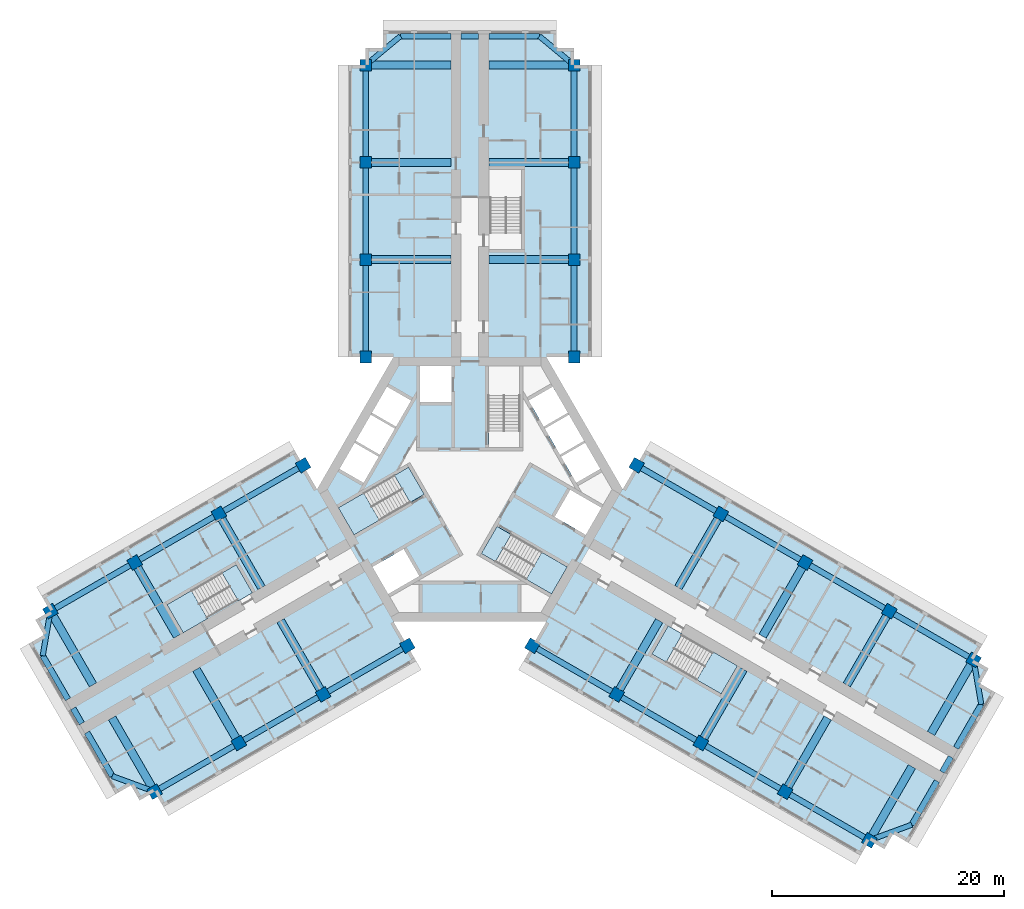
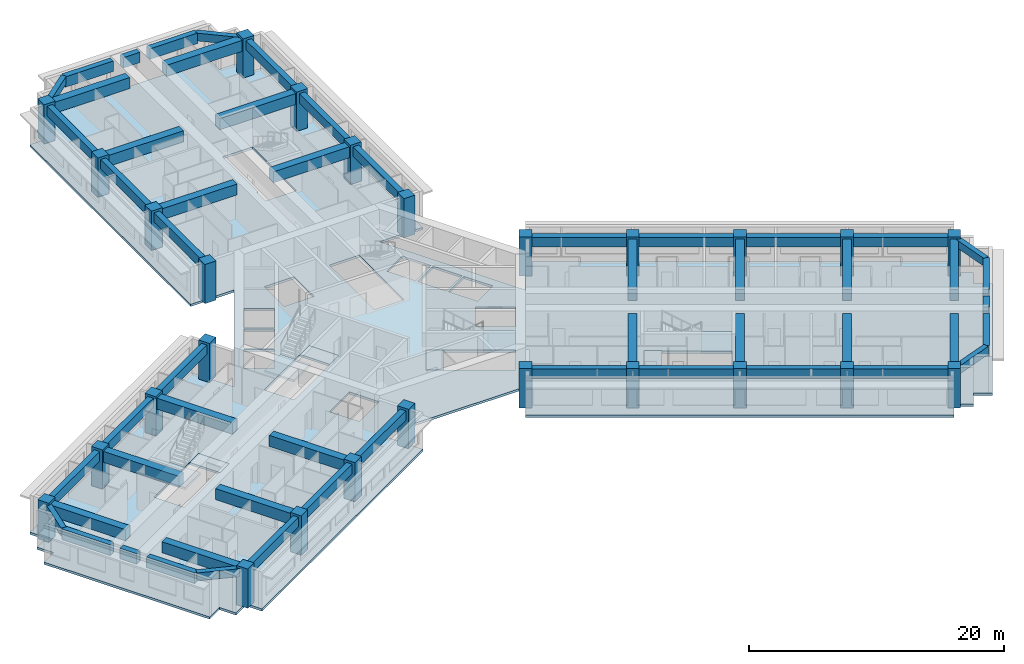
# One storey, part 1 of 14: 55 beams, 26 columns, 9 slabs, 4 elements without a shape of their own.
"""IFC4 building model written with IfcOpenShell, lengths in metres."""

import ifcopenshell
import ifcopenshell.guid

model = None  # the IFC model being written
_history = None  # IfcOwnerHistory: only IFC2X3 demands one
_inside = {}  # id of a spatial element -> (the spatial element, [elements in it])
_under = {}  # id of a project, library or spatial element -> (it, [spatial elements below it])
_declared = {}  # id of a project -> (the project, [libraries it declares])
_typed = {}  # id of a type object -> (the type object, [elements of that type])
_made_of = {}  # id of a material, layer set ... -> (it, [elements and type objects made of it])


def new_model(schema):
    """Start an empty IFC model of exactly this schema.

    Asked for "IFC4X3", IfcOpenShell would pick the latest addendum, in which some entities
    have other attributes; the version numbers below select the first issue.
    IFC2X3 requires an IfcOwnerHistory on every rooted entity: one is made here for all.
    """
    global model, _history
    if schema == "IFC4X3":
        model = ifcopenshell.file(schema_version=(4, 3, 0, 0))
    else:
        model = ifcopenshell.file(schema=schema)
    _inside.clear()
    _under.clear()
    _declared.clear()
    _typed.clear()
    _made_of.clear()
    _history = None
    if model.schema == "IFC2X3":
        org = make("IfcOrganization", Name="unknown")
        user = make(
            "IfcPersonAndOrganization",
            ThePerson=make("IfcPerson", FamilyName="unknown"),
            TheOrganization=org,
        )
        app = make(
            "IfcApplication",
            ApplicationDeveloper=org,
            Version="unknown",
            ApplicationFullName="unknown",
            ApplicationIdentifier="unknown",
        )
        _history = make(
            "IfcOwnerHistory",
            OwningUser=user,
            OwningApplication=app,
            ChangeAction="ADDED",
            CreationDate=0,
        )
    return model


def make(cls, **values):
    """One entity of the class cls with the attributes given. An attribute that is None is left unset."""
    return model.create_entity(
        cls, **{name: value for name, value in values.items() if value is not None}
    )


def rooted(cls, **values):
    """An entity with a GlobalId (a new one), such as an element, a storey or a relation."""
    return make(cls, GlobalId=ifcopenshell.guid.new(), OwnerHistory=_history, **values)


def si_unit(unit_type, name, prefix=None):
    """IfcSIUnit, for example si_unit("LENGTHUNIT", "METRE", prefix="MILLI")."""
    return make("IfcSIUnit", UnitType=unit_type, Prefix=prefix, Name=name)


def assignment(units):
    """IfcUnitAssignment: the units of a project."""
    return None if units is None else make("IfcUnitAssignment", Units=units)


def point(xyz):
    """IfcCartesianPoint."""
    return None if xyz is None else make("IfcCartesianPoint", Coordinates=xyz)


def direction(xyz):
    """IfcDirection."""
    return None if xyz is None else make("IfcDirection", DirectionRatios=xyz)


def frame(location, z_axis=None, x_axis=None):
    """IfcAxis2Placement3D, a coordinate frame: its origin and axes. An axis left out is left unset."""
    return make(
        "IfcAxis2Placement3D",
        Location=point(location),
        Axis=direction(z_axis),
        RefDirection=direction(x_axis),
    )


def frame_2d(location, x_axis=None):
    """IfcAxis2Placement2D, a coordinate frame in the plane: its origin and x axis."""
    return make(
        "IfcAxis2Placement2D", Location=point(location), RefDirection=direction(x_axis)
    )


def origin():
    """The frame at (0, 0, 0) with its axes left unset."""
    return frame((0.0, 0.0, 0.0))


def origin_2d():
    """The frame at (0, 0) in the plane with its x axis left unset."""
    return frame_2d((0.0, 0.0))


def place(relative_to, where):
    """IfcLocalPlacement: puts the frame where relative to a parent placement (None: the world)."""
    return make(
        "IfcLocalPlacement", PlacementRelTo=relative_to, RelativePlacement=where
    )


def context(
    kind, dimensions, precision=None, world=None, true_north=None, identifier=None
):
    """IfcGeometricRepresentationContext, for example the 3D "Model" context."""
    return make(
        "IfcGeometricRepresentationContext",
        ContextIdentifier=identifier,
        ContextType=kind,
        CoordinateSpaceDimension=dimensions,
        Precision=precision,
        WorldCoordinateSystem=world,
        TrueNorth=true_north,
    )


def subcontext(parent, identifier, kind, view, scale=None):
    """IfcGeometricRepresentationSubContext, for example "Body" below "Model"."""
    return make(
        "IfcGeometricRepresentationSubContext",
        ContextIdentifier=identifier,
        ContextType=kind,
        ParentContext=parent,
        TargetScale=scale,
        TargetView=view,
    )


def project(units=None, contexts=None):
    """IfcProject with its units and contexts."""
    return rooted(
        "IfcProject",
        Name="project",
        RepresentationContexts=contexts,
        UnitsInContext=assignment(units),
    )


def spatial(cls, under=None, at=None, **own):
    """A site, building, storey or space (cls), placed at a placement, below another one or the project."""
    s = rooted(cls, ObjectPlacement=at, **own)
    if under is not None:
        _under.setdefault(under.id(), (under, []))[1].append(s)
    return s


def polyline(points):
    """IfcPolyline through the points."""
    return make("IfcPolyline", Points=[point(p) for p in points])


def profile(cls, at=None, kind="AREA", **sizes):
    """A parametric profile (cls). Its sizes go by their IFC names, for example OverallWidth=200.0."""
    return make(cls, ProfileType=kind, Position=at, **sizes)


def rectangle(**sizes):
    """IfcRectangleProfileDef."""
    return profile("IfcRectangleProfileDef", **sizes)


def outline(outer, holes=None, kind="AREA"):
    """IfcArbitraryClosedProfileDef: a profile drawn as a closed curve; with holes, ...WithVoids."""
    if holes is None:
        return make("IfcArbitraryClosedProfileDef", ProfileType=kind, OuterCurve=outer)
    return make(
        "IfcArbitraryProfileDefWithVoids",
        ProfileType=kind,
        OuterCurve=outer,
        InnerCurves=holes,
    )


def extrude(swept, where, along, depth):
    """IfcExtrudedAreaSolid: the profile swept, set in the frame where, extruded along a direction by depth."""
    return make(
        "IfcExtrudedAreaSolid",
        SweptArea=swept,
        Position=where,
        ExtrudedDirection=direction(along),
        Depth=depth,
    )


def shape(context_of_items, identifier, shape_type, items):
    """IfcShapeRepresentation: the items that make up one representation, for example the "Body"."""
    return make(
        "IfcShapeRepresentation",
        ContextOfItems=context_of_items,
        RepresentationIdentifier=identifier,
        RepresentationType=shape_type,
        Items=items,
    )


def material(Name=None, Category=None):
    """IfcMaterial."""
    return make("IfcMaterial", Name=Name, Category=Category)


def layer(
    of_material, thickness, ventilated=None, Name=None, Category=None, Priority=None
):
    """IfcMaterialLayer: one layer of a wall or slab, of a material (None: an air gap)."""
    return make(
        "IfcMaterialLayer",
        Material=of_material,
        LayerThickness=thickness,
        IsVentilated=ventilated,
        Name=Name,
        Category=Category,
        Priority=Priority,
    )


def layer_set(layers, Name=None):
    """IfcMaterialLayerSet."""
    return make("IfcMaterialLayerSet", MaterialLayers=layers, LayerSetName=Name)


def material_profile(
    of_material, cross_section, Name=None, Category=None, Priority=None
):
    """IfcMaterialProfile: a cross section and its material."""
    return make(
        "IfcMaterialProfile",
        Name=Name,
        Material=of_material,
        Profile=cross_section,
        Priority=Priority,
        Category=Category,
    )


def profile_set(profiles, Name=None, composite=None):
    """IfcMaterialProfileSet."""
    return make(
        "IfcMaterialProfileSet",
        Name=Name,
        MaterialProfiles=profiles,
        CompositeProfile=composite,
    )


def made_of(thing, what):
    """Note that an element or type object is made of a material, layer set ...; save() writes the relation."""
    if what is not None:
        _made_of.setdefault(what.id(), (what, []))[1].append(thing)
    return thing


def type_object(cls, material=None, **own):
    """A type object (cls), such as IfcWallType, which elements share."""
    return made_of(rooted(cls, **own), material)


def element(
    cls,
    number,
    at=None,
    inside=None,
    cuts=None,
    type_object=None,
    material=None,
    context=None,
    identifier="Body",
    shape_type=None,
    held_by="IfcProductDefinitionShape",
    body=None,
    shapes=None,
    **own,
):
    """One element of the class cls, such as IfcWall. Its Tag is "e" and its number.

    at: its placement. inside: the storey or other place that contains it. cuts: it is an
    opening in that element (IfcRelVoidsElement). A single representation is given by context,
    identifier, shape_type and body (its items); several are given by shapes. held_by: the class
    of the entity that holds the representations. save() writes the other relations.
    """
    e = rooted(cls, Tag="e%d" % number, ObjectPlacement=at, **own)
    if body is not None:
        shapes = [shape(context, identifier, shape_type, body)]
    if shapes is not None:
        e.Representation = make(held_by, Representations=shapes)
    if inside is not None:
        _inside.setdefault(inside.id(), (inside, []))[1].append(e)
    if cuts is not None:
        rooted(
            "IfcRelVoidsElement", RelatingBuildingElement=cuts, RelatedOpeningElement=e
        )
    if type_object is not None:
        _typed.setdefault(type_object.id(), (type_object, []))[1].append(e)
    return made_of(e, material)


def aggregate(whole, parts):
    """IfcRelAggregates: a whole, such as a stair, and the parts it consists of."""
    return rooted("IfcRelAggregates", RelatingObject=whole, RelatedObjects=parts)


def save(model, path):
    """Write the relations noted so far, then the file.

    IfcRelAggregates (storeys below a building ...), IfcRelContainedInSpatialStructure (elements
    in a storey), IfcRelDefinesByType, IfcRelAssociatesMaterial and IfcRelDeclares: one each for
    every whole, place, type object, material and project.
    """
    for whole, parts in _under.values():
        aggregate(whole, parts)
    for where, things in _inside.values():
        rooted(
            "IfcRelContainedInSpatialStructure",
            RelatedElements=things,
            RelatingStructure=where,
        )
    for kind, things in _typed.values():
        rooted("IfcRelDefinesByType", RelatedObjects=things, RelatingType=kind)
    for what, things in _made_of.values():
        rooted("IfcRelAssociatesMaterial", RelatedObjects=things, RelatingMaterial=what)
    for by, libraries in _declared.values():
        rooted("IfcRelDeclares", RelatingContext=by, RelatedDefinitions=libraries)
    model.write(path)


model = new_model("IFC4")

# Units and contexts
model_context = context("Model", 3, precision=1e-05, world=origin(), true_north=direction((0.0, 1.0)))
body_context = subcontext(model_context, "Body", "Model", "MODEL_VIEW")
ifc_project = project(units=[si_unit("LENGTHUNIT", "METRE"), si_unit("AREAUNIT", "SQUARE_METRE"), si_unit("VOLUMEUNIT", "CUBIC_METRE"), si_unit("PLANEANGLEUNIT", "RADIAN"), si_unit("MASSUNIT", "GRAM", prefix="KILO")], contexts=[model_context])

# Site, building, storey
site_placement = place(None, origin())
site = spatial("IfcSite", under=ifc_project, at=site_placement, CompositionType="ELEMENT")
building_placement = place(site_placement, origin())
building = spatial("IfcBuilding", under=site, at=building_placement, Name="Impinga Residences", CompositionType="ELEMENT")
storey_placement = place(building_placement, frame((0.0, 0.0, 143.5)))
storey = spatial("IfcBuildingStorey", under=building, at=storey_placement, Name="L35", CompositionType="ELEMENT", Elevation=143.5)

# Columns
ifc_material_1 = material(Name="Concrete C60/75", Category="concrete")
ifc_material_profile_1 = material_profile(ifc_material_1, rectangle(XDim=1.0, YDim=1.0, at=origin_2d()), Name="RC 1000x1000")
ifc_profile_set_1 = profile_set([ifc_material_profile_1], Name="Concrete C60/75")
column_type = type_object("IfcColumnType", Name="C3 1000x1000 column", PredefinedType="COLUMN", material=ifc_profile_set_1)
for number, where, z_axis, x_axis, name in (
    (1, (-9.0, 11.431640625, 0.0), (0.0, 0.0, 1.0), (1.0, 0.0, 0.0), "Column C3 N1/NA L35"),
    (2, (9.0, 11.431640625, 0.0), (0.0, 0.0, 1.0), (1.0, 0.0, 0.0), "Column C3 N1/NF L35"),
    (3, (-9.0, 19.83154296875, 0.0), (0.0, 0.0, 1.0), (1.0, 0.0, 0.0), "Column C3 N2/NA L35"),
    (4, (9.0, 19.83154296875, 0.0), (0.0, 0.0, 1.0), (1.0, 0.0, 0.0), "Column C3 N2/NF L35"),
    (5, (-9.0, 28.2314453125, 0.0), (0.0, 0.0, 1.0), (1.0, 0.0, 0.0), "Column C3 N3/NA L35"),
    (6, (9.0, 28.2314453125, 0.0), (0.0, 0.0, 1.0), (1.0, 0.0, 0.0), "Column C3 N3/NF L35"),
    (7, (-9.0, 36.631591796875, 0.0), (0.0, 0.0, 1.0), (1.0, 0.0, 0.0), "Column C3 N4/NA L35"),
    (8, (9.0, 36.631591796875, 0.0), (0.0, 0.0, 1.0), (1.0, 0.0, 0.0), "Column C3 N4/NF L35"),
    (9, (-5.39990234375, -13.510009765625, 0.0), (0.0, 0.0, 1.0), (-0.5, 0.866025403784, 0.0), "Column C3 W1/WA L35"),
    (10, (-14.39990234375, 2.078369140625, 0.0), (0.0, 0.0, 1.0), (-0.5, 0.866025403784, 0.0), "Column C3 W1/WF L35"),
    (11, (-12.674560546875, -17.7099609375, 0.0), (0.0, 0.0, 1.0), (-0.5, 0.866025403784, 0.0), "Column C3 W2/WA L35"),
    (12, (-21.674560546875, -2.12158203125, 0.0), (0.0, 0.0, 1.0), (-0.5, 0.866025403784, 0.0), "Column C3 W2/WF L35"),
    (13, (-19.94921875, -21.909912109375, 0.0), (0.0, 0.0, 1.0), (-0.5, 0.866025403784, 0.0), "Column C3 W3/WA L35"),
    (14, (-28.94921875, -6.321533203125, 0.0), (0.0, 0.0, 1.0), (-0.5, 0.866025403784, 0.0), "Column C3 W3/WF L35"),
    (15, (-27.223876953125, -26.110107421875, 0.0), (0.0, 0.0, 1.0), (-0.5, 0.866025403784, 0.0), "Column C3 W4/WA L35"),
    (16, (-36.223876953125, -10.521484375, 0.0), (0.0, 0.0, 1.0), (-0.5, 0.866025403784, 0.0), "Column C3 W4/WF L35"),
    (17, (14.39990234375, 2.078369140625, 0.0), (0.0, 0.0, 1.0), (-0.5, -0.866025403784, 0.0), "Column C3 E1/EA L35"),
    (18, (5.39990234375, -13.510009765625, 0.0), (0.0, 0.0, 1.0), (-0.5, -0.866025403784, 0.0), "Column C3 E1/EF L35"),
    (19, (21.674560546875, -2.12158203125, 0.0), (0.0, 0.0, 1.0), (-0.5, -0.866025403784, 0.0), "Column C3 E2/EA L35"),
    (20, (12.674560546875, -17.7099609375, 0.0), (0.0, 0.0, 1.0), (-0.5, -0.866025403784, 0.0), "Column C3 E2/EF L35"),
    (21, (28.94921875, -6.321533203125, 0.0), (0.0, 0.0, 1.0), (-0.5, -0.866025403784, 0.0), "Column C3 E3/EA L35"),
    (22, (19.94921875, -21.909912109375, 0.0), (0.0, 0.0, 1.0), (-0.5, -0.866025403784, 0.0), "Column C3 E3/EF L35"),
    (23, (36.223876953125, -10.521484375, 0.0), (0.0, 0.0, 1.0), (-0.5, -0.866025403784, 0.0), "Column C3 E4/EA L35"),
    (24, (27.223876953125, -26.110107421875, 0.0), (0.0, 0.0, 1.0), (-0.5, -0.866025403784, 0.0), "Column C3 E4/EF L35"),
    (25, (43.49853515625, -14.721435546875, 0.0), (0.0, 0.0, 1.0), (-0.5, -0.866025403784, 0.0), "Column C3 E5/EA L35"),
    (26, (34.49853515625, -30.31005859375, 0.0), (0.0, 0.0, 1.0), (-0.5, -0.866025403784, 0.0), "Column C3 E5/EF L35"),
):
    element("IfcColumn", number, at=place(storey_placement, frame(where, z_axis=z_axis, x_axis=x_axis)), inside=storey, type_object=column_type, Name=name, PredefinedType="COLUMN", context=body_context, shape_type="SweptSolid", body=[
        extrude(rectangle(XDim=1.0, YDim=1.0, at=origin_2d()), origin(), (0.0, 0.0, 1.0), 3.75),
    ])

# Beams
ifc_material_profile_2 = material_profile(ifc_material_1, rectangle(XDim=0.449951171875, YDim=0.75, at=origin_2d()), Name="RC 450x750")
ifc_profile_set_2 = profile_set([ifc_material_profile_2], Name="Concrete C60/75")
beam_type_1 = type_object("IfcBeamType", Name="CB1 450x750 wing end cantilever beam", PredefinedType="BEAM", material=ifc_profile_set_2)
for number, where, z_axis, x_axis, name in (
    (27, (-9.0, 36.631591796875, 3.155029296875), (0.768221279597, 0.640184399664, 0.0), (-0.640184399664, 0.768221279597, 0.0), "Beam CB1 NB N4-NX level L36"),
    (28, (9.0, 36.631591796875, 3.155029296875), (-0.768221279597, 0.640184399664, 0.0), (-0.640184399664, -0.768221279597, 0.0), "Beam CB1 NE N4-NX level L36"),
    (29, (-27.223876953125, -26.110107421875, 3.155029296875), (-0.938520178725, 0.345224382289, 0.0), (-0.345224382289, -0.938520178725, 0.0), "Beam CB1 WB W4-WX level L36"),
):
    element("IfcBeam", number, at=place(storey_placement, frame(where, z_axis=z_axis, x_axis=x_axis)), inside=storey, type_object=beam_type_1, Name=name, PredefinedType="BEAM", context=body_context, shape_type="SweptSolid", body=[
        extrude(rectangle(XDim=0.449951171875, YDim=0.75, at=origin_2d()), origin(), (0.0, 0.0, 1.0), 3.905029296875),
    ])
for number, where, z_axis, x_axis, name in (
    (30, (-36.223876953125, -10.521484375, 3.155029296875), (-0.170296298948, -0.985392901621, 0.0), (0.985392901621, -0.170296298948, 0.0), "Beam CB1 WE W4-WX level L36"),
    (31, (43.49853515625, -14.721435546875, 3.155029296875), (0.170296298948, -0.985392901621, 0.0), (0.985392901621, 0.170296298948, 0.0), "Beam CB1 EB E5-EX level L36"),
):
    element("IfcBeam", number, at=place(storey_placement, frame(where, z_axis=z_axis, x_axis=x_axis)), inside=storey, type_object=beam_type_1, Name=name, PredefinedType="BEAM", context=body_context, shape_type="SweptSolid", body=[
        extrude(rectangle(XDim=0.449951171875, YDim=0.75, at=origin_2d()), origin(), (0.0, 0.0, 1.0), 3.9052734375),
    ])
beam_1_placement = place(storey_placement, frame((34.49853515625, -30.31005859375, 3.155029296875), z_axis=(0.938520178725, 0.345224382289, 0.0), x_axis=(-0.345224382289, 0.938520178725, 0.0)))
element("IfcBeam", 32, at=beam_1_placement, inside=storey, type_object=beam_type_1, Name="Beam CB1 EE E5-EX level L36", PredefinedType="BEAM", context=body_context, shape_type="SweptSolid", body=[
    extrude(rectangle(XDim=0.449951171875, YDim=0.75, at=origin_2d()), origin(), (0.0, 0.0, 1.0), 3.905029296875),
])
ifc_material_profile_3 = material_profile(ifc_material_1, rectangle(XDim=0.699951171875, YDim=1.050048828125, at=origin_2d()), Name="RC 700x1050")
ifc_profile_set_3 = profile_set([ifc_material_profile_3], Name="Concrete C60/75")
beam_type_2 = type_object("IfcBeamType", Name="CG1 700x1050 cross girder on a wing bay line", PredefinedType="BEAM", material=ifc_profile_set_3)
for number, where, z_axis, x_axis, name in (
    (33, (-1.64990234375, 19.83154296875, 3.0048828125), (-1.0, 0.0, 0.0), (0.0, -1.0, 0.0), "Beam CG1 N2 NC/NA level L36"),
    (34, (-1.64990234375, 28.2314453125, 3.0048828125), (-1.0, 0.0, 0.0), (0.0, -1.0, 0.0), "Beam CG1 N3 NC/NA level L36"),
    (35, (-1.64990234375, 36.631591796875, 3.0048828125), (-1.0, 0.0, 0.0), (0.0, -1.0, 0.0), "Beam CG1 N4 NC/NA level L36"),
    (36, (1.64990234375, 19.83154296875, 3.0048828125), (1.0, 0.0, 0.0), (0.0, 1.0, 0.0), "Beam CG1 N2 NC/NF level L36"),
    (37, (1.64990234375, 28.2314453125, 3.0048828125), (1.0, 0.0, 0.0), (0.0, 1.0, 0.0), "Beam CG1 N3 NC/NF level L36"),
    (38, (1.64990234375, 36.631591796875, 3.0048828125), (1.0, 0.0, 0.0), (0.0, 1.0, 0.0), "Beam CG1 N4 NC/NF level L36"),
    (39, (-16.349609375, -11.3447265625, 3.0048828125), (0.500008066151, -0.86602074674, 0.0), (0.86602074674, 0.500008066151, 0.0), "Beam CG1 W2 WC/WA level L36"),
    (40, (-23.624267578125, -15.544677734375, 3.0048828125), (0.500008066151, -0.86602074674, 0.0), (0.86602074674, 0.500008066151, 0.0), "Beam CG1 W3 WC/WA level L36"),
    (41, (-30.89892578125, -19.74462890625, 3.0048828125), (0.499993683172, -0.866029050776, 0.0), (0.866029050776, 0.499993683172, 0.0), "Beam CG1 W4 WC/WA level L36"),
    (42, (-17.99951171875, -8.48681640625, 3.0048828125), (-0.500008066151, 0.86602074674, 0.0), (-0.86602074674, -0.500008066151, 0.0), "Beam CG1 W2 WC/WF level L36"),
    (43, (-25.274169921875, -12.686767578125, 3.0048828125), (-0.500008066151, 0.86602074674, 0.0), (-0.86602074674, -0.500008066151, 0.0), "Beam CG1 W3 WC/WF level L36"),
    (44, (-32.548828125, -16.88671875, 3.0048828125), (-0.500008066151, 0.86602074674, 0.0), (-0.86602074674, -0.500008066151, 0.0), "Beam CG1 W4 WC/WF level L36"),
    (45, (17.99951171875, -8.48681640625, 3.0048828125), (0.500008066151, 0.86602074674, 0.0), (-0.86602074674, 0.500008066151, 0.0), "Beam CG1 E2 EC/EA level L36"),
    (46, (25.274169921875, -12.686767578125, 3.0048828125), (0.500008066151, 0.86602074674, 0.0), (-0.86602074674, 0.500008066151, 0.0), "Beam CG1 E3 EC/EA level L36"),
    (47, (32.548828125, -16.88671875, 3.0048828125), (0.500008066151, 0.86602074674, 0.0), (-0.86602074674, 0.500008066151, 0.0), "Beam CG1 E4 EC/EA level L36"),
    (48, (39.823486328125, -21.0869140625, 3.0048828125), (0.499993683172, 0.866029050776, 0.0), (-0.866029050776, 0.499993683172, 0.0), "Beam CG1 E5 EC/EA level L36"),
    (49, (16.349609375, -11.3447265625, 3.0048828125), (-0.500008066151, -0.86602074674, 0.0), (0.86602074674, -0.500008066151, 0.0), "Beam CG1 E2 EC/EF level L36"),
    (50, (23.624267578125, -15.544677734375, 3.0048828125), (-0.500008066151, -0.86602074674, 0.0), (0.86602074674, -0.500008066151, 0.0), "Beam CG1 E3 EC/EF level L36"),
    (51, (30.89892578125, -19.74462890625, 3.0048828125), (-0.499993683172, -0.866029050776, 0.0), (0.866029050776, -0.499993683172, 0.0), "Beam CG1 E4 EC/EF level L36"),
):
    element("IfcBeam", number, at=place(storey_placement, frame(where, z_axis=z_axis, x_axis=x_axis)), inside=storey, type_object=beam_type_2, Name=name, PredefinedType="BEAM", context=body_context, shape_type="SweptSolid", body=[
        extrude(rectangle(XDim=0.699951171875, YDim=1.050048828125, at=origin_2d()), origin(), (0.0, 0.0, 1.0), 7.35009765625),
    ])
beam_2_placement = place(storey_placement, frame((38.17333984375, -23.94482421875, 3.0048828125), z_axis=(-0.499983153418, -0.866035129944, 0.0), x_axis=(0.866035129944, -0.499983153418, 0.0)))
element("IfcBeam", 52, at=beam_2_placement, inside=storey, type_object=beam_type_2, Name="Beam CG1 E5 EC/EF level L36", PredefinedType="BEAM", context=body_context, shape_type="SweptSolid", body=[
    extrude(rectangle(XDim=0.699951171875, YDim=1.050048828125, at=origin_2d()), origin(), (0.0, 0.0, 1.0), 7.349853515625),
])
ifc_material_profile_4 = material_profile(ifc_material_1, rectangle(XDim=0.5, YDim=1.0, at=origin_2d()), Name="RC 500x1000")
ifc_profile_set_4 = profile_set([ifc_material_profile_4], Name="Concrete C60/75")
beam_type_3 = type_object("IfcBeamType", Name="EB1 500x1000 wing end beam", PredefinedType="BEAM", material=ifc_profile_set_4)
beam_3_placement = place(storey_placement, frame((-6.0, 39.131591796875, 3.030029296875), z_axis=(1.0, 0.0, 0.0), x_axis=(0.0, 1.0, 0.0)))
element("IfcBeam", 53, at=beam_3_placement, inside=storey, type_object=beam_type_3, Name="Beam EB1 NX3 level L36", PredefinedType="BEAM", context=body_context, shape_type="SweptSolid", body=[
    extrude(rectangle(XDim=0.5, YDim=1.0, at=origin_2d()), origin(), (0.0, 0.0, 1.0), 4.35009765625),
])
beam_4_placement = place(storey_placement, frame((-0.75, 39.131591796875, 3.030029296875), z_axis=(1.0, 0.0, 0.0), x_axis=(0.0, 1.0, 0.0)))
element("IfcBeam", 54, at=beam_4_placement, inside=storey, type_object=beam_type_3, Name="Beam EB1 NX3 level L36", PredefinedType="BEAM", context=body_context, shape_type="SweptSolid", body=[
    extrude(rectangle(XDim=0.5, YDim=1.0, at=origin_2d()), origin(), (0.0, 0.0, 1.0), 1.5),
])
for number, where, z_axis, x_axis, name in (
    (55, (1.64990234375, 39.131591796875, 3.030029296875), (1.0, 0.0, 0.0), (0.0, 1.0, 0.0), "Beam EB1 NX3 level L36"),
    (56, (-30.888916015625, -24.761962890625, 3.030029296875), (-0.499996127374, 0.866027639635, 0.0), (-0.866027639635, -0.499996127374, 0.0), "Beam EB1 WX3 level L36"),
):
    element("IfcBeam", number, at=place(storey_placement, frame(where, z_axis=z_axis, x_axis=x_axis)), inside=storey, type_object=beam_type_3, Name=name, PredefinedType="BEAM", context=body_context, shape_type="SweptSolid", body=[
        extrude(rectangle(XDim=0.5, YDim=1.0, at=origin_2d()), origin(), (0.0, 0.0, 1.0), 4.35009765625),
    ])
beam_5_placement = place(storey_placement, frame((-33.513916015625, -20.21533203125, 3.030029296875), z_axis=(-0.499990139034, 0.866031096941, 0.0), x_axis=(-0.866031096941, -0.499990139034, 0.0)))
element("IfcBeam", 57, at=beam_5_placement, inside=storey, type_object=beam_type_3, Name="Beam EB1 WX3 level L36", PredefinedType="BEAM", context=body_context, shape_type="SweptSolid", body=[
    extrude(rectangle(XDim=0.5, YDim=1.0, at=origin_2d()), origin(), (0.0, 0.0, 1.0), 1.5),
])
beam_6_placement = place(storey_placement, frame((-34.7138671875, -18.13671875, 3.030029296875), z_axis=(-0.500020430026, 0.866013608182, 0.0), x_axis=(-0.866013608182, -0.500020430026, 0.0)))
element("IfcBeam", 58, at=beam_6_placement, inside=storey, type_object=beam_type_3, Name="Beam EB1 WX3 level L36", PredefinedType="BEAM", context=body_context, shape_type="SweptSolid", body=[
    extrude(rectangle(XDim=0.5, YDim=1.0, at=origin_2d()), origin(), (0.0, 0.0, 1.0), 4.349853515625),
])
beam_7_placement = place(storey_placement, frame((44.16357421875, -18.569580078125, 3.030029296875), z_axis=(-0.499996127374, -0.866027639635, 0.0), x_axis=(0.866027639635, -0.499996127374, 0.0)))
element("IfcBeam", 59, at=beam_7_placement, inside=storey, type_object=beam_type_3, Name="Beam EB1 EX4 level L36", PredefinedType="BEAM", context=body_context, shape_type="SweptSolid", body=[
    extrude(rectangle(XDim=0.5, YDim=1.0, at=origin_2d()), origin(), (0.0, 0.0, 1.0), 4.35009765625),
])
beam_8_placement = place(storey_placement, frame((41.53857421875, -23.1162109375, 3.030029296875), z_axis=(-0.499990139034, -0.866031096941, 0.0), x_axis=(0.866031096941, -0.499990139034, 0.0)))
element("IfcBeam", 60, at=beam_8_placement, inside=storey, type_object=beam_type_3, Name="Beam EB1 EX4 level L36", PredefinedType="BEAM", context=body_context, shape_type="SweptSolid", body=[
    extrude(rectangle(XDim=0.5, YDim=1.0, at=origin_2d()), origin(), (0.0, 0.0, 1.0), 1.5),
])
beam_9_placement = place(storey_placement, frame((40.338623046875, -25.19482421875, 3.030029296875), z_axis=(-0.500020430026, -0.866013608182, 0.0), x_axis=(0.866013608182, -0.500020430026, 0.0)))
element("IfcBeam", 61, at=beam_9_placement, inside=storey, type_object=beam_type_3, Name="Beam EB1 EX4 level L36", PredefinedType="BEAM", context=body_context, shape_type="SweptSolid", body=[
    extrude(rectangle(XDim=0.5, YDim=1.0, at=origin_2d()), origin(), (0.0, 0.0, 1.0), 4.349853515625),
])
ifc_material_profile_5 = material_profile(ifc_material_1, rectangle(XDim=0.5, YDim=0.89990234375, at=origin_2d()), Name="RC 500x900")
ifc_profile_set_5 = profile_set([ifc_material_profile_5], Name="Concrete C60/75")
beam_type_4 = type_object("IfcBeamType", Name="SB1 500x900 perimeter spandrel beam", PredefinedType="SPANDREL", material=ifc_profile_set_5)
for number, where, z_axis, x_axis, name in (
    (62, (-9.0, 11.431640625, 3.080078125), (0.0, 1.0, 0.0), (-1.0, 0.0, 0.0), "Beam SB1 NA N1-N2 level L36"),
    (63, (-9.0, 19.83154296875, 3.080078125), (0.0, 1.0, 0.0), (-1.0, 0.0, 0.0), "Beam SB1 NA N2-N3 level L36"),
):
    element("IfcBeam", number, at=place(storey_placement, frame(where, z_axis=z_axis, x_axis=x_axis)), inside=storey, type_object=beam_type_4, Name=name, PredefinedType="SPANDREL", context=body_context, shape_type="SweptSolid", body=[
        extrude(rectangle(XDim=0.5, YDim=0.89990234375, at=origin_2d()), origin(), (0.0, 0.0, 1.0), 8.39990234375),
    ])
beam_10_placement = place(storey_placement, frame((-9.0, 28.2314453125, 3.080078125), z_axis=(0.0, 1.0, 0.0), x_axis=(-1.0, 0.0, 0.0)))
element("IfcBeam", 64, at=beam_10_placement, inside=storey, type_object=beam_type_4, Name="Beam SB1 NA N3-N4 level L36", PredefinedType="SPANDREL", context=body_context, shape_type="SweptSolid", body=[
    extrude(rectangle(XDim=0.5, YDim=0.89990234375, at=origin_2d()), origin(), (0.0, 0.0, 1.0), 8.400146484375),
])
for number, where, z_axis, x_axis, name in (
    (65, (9.0, 11.431640625, 3.080078125), (0.0, 1.0, 0.0), (-1.0, 0.0, 0.0), "Beam SB1 NF N1-N2 level L36"),
    (66, (9.0, 19.83154296875, 3.080078125), (0.0, 1.0, 0.0), (-1.0, 0.0, 0.0), "Beam SB1 NF N2-N3 level L36"),
):
    element("IfcBeam", number, at=place(storey_placement, frame(where, z_axis=z_axis, x_axis=x_axis)), inside=storey, type_object=beam_type_4, Name=name, PredefinedType="SPANDREL", context=body_context, shape_type="SweptSolid", body=[
        extrude(rectangle(XDim=0.5, YDim=0.89990234375, at=origin_2d()), origin(), (0.0, 0.0, 1.0), 8.39990234375),
    ])
beam_11_placement = place(storey_placement, frame((9.0, 28.2314453125, 3.080078125), z_axis=(0.0, 1.0, 0.0), x_axis=(-1.0, 0.0, 0.0)))
element("IfcBeam", 67, at=beam_11_placement, inside=storey, type_object=beam_type_4, Name="Beam SB1 NF N3-N4 level L36", PredefinedType="SPANDREL", context=body_context, shape_type="SweptSolid", body=[
    extrude(rectangle(XDim=0.5, YDim=0.89990234375, at=origin_2d()), origin(), (0.0, 0.0, 1.0), 8.400146484375),
])
for number, where, z_axis, x_axis, name in (
    (68, (-5.39990234375, -13.510009765625, 3.080078125), (-0.86602925447, -0.499993330357, 0.0), (0.499993330357, -0.86602925447, 0.0), "Beam SB1 WA W1-W2 level L36"),
    (69, (-12.674560546875, -17.7099609375, 3.080078125), (-0.86602925447, -0.499993330357, 0.0), (0.499993330357, -0.86602925447, 0.0), "Beam SB1 WA W2-W3 level L36"),
):
    element("IfcBeam", number, at=place(storey_placement, frame(where, z_axis=z_axis, x_axis=x_axis)), inside=storey, type_object=beam_type_4, Name=name, PredefinedType="SPANDREL", context=body_context, shape_type="SweptSolid", body=[
        extrude(rectangle(XDim=0.5, YDim=0.89990234375, at=origin_2d()), origin(), (0.0, 0.0, 1.0), 8.39990234375),
    ])
beam_12_placement = place(storey_placement, frame((-19.94921875, -21.909912109375, 3.080078125), z_axis=(-0.866016669275, -0.500015128309, 0.0), x_axis=(0.500015128309, -0.866016669275, 0.0)))
element("IfcBeam", 70, at=beam_12_placement, inside=storey, type_object=beam_type_4, Name="Beam SB1 WA W3-W4 level L36", PredefinedType="SPANDREL", context=body_context, shape_type="SweptSolid", body=[
    extrude(rectangle(XDim=0.5, YDim=0.89990234375, at=origin_2d()), origin(), (0.0, 0.0, 1.0), 8.400146484375),
])
for number, where, z_axis, x_axis, name in (
    (71, (-14.39990234375, 2.078369140625, 3.080078125), (-0.86602925447, -0.499993330357, 0.0), (0.499993330357, -0.86602925447, 0.0), "Beam SB1 WF W1-W2 level L36"),
    (72, (-21.674560546875, -2.12158203125, 3.080078125), (-0.86602925447, -0.499993330357, 0.0), (0.499993330357, -0.86602925447, 0.0), "Beam SB1 WF W2-W3 level L36"),
    (73, (-28.94921875, -6.321533203125, 3.080078125), (-0.86602925447, -0.499993330357, 0.0), (0.499993330357, -0.86602925447, 0.0), "Beam SB1 WF W3-W4 level L36"),
    (74, (14.39990234375, 2.078369140625, 3.080078125), (0.86602925447, -0.499993330357, 0.0), (0.499993330357, 0.86602925447, 0.0), "Beam SB1 EA E1-E2 level L36"),
    (75, (21.674560546875, -2.12158203125, 3.080078125), (0.86602925447, -0.499993330357, 0.0), (0.499993330357, 0.86602925447, 0.0), "Beam SB1 EA E2-E3 level L36"),
    (76, (28.94921875, -6.321533203125, 3.080078125), (0.86602925447, -0.499993330357, 0.0), (0.499993330357, 0.86602925447, 0.0), "Beam SB1 EA E3-E4 level L36"),
    (77, (36.223876953125, -10.521484375, 3.080078125), (0.86602925447, -0.499993330357, 0.0), (0.499993330357, 0.86602925447, 0.0), "Beam SB1 EA E4-E5 level L36"),
    (78, (5.39990234375, -13.510009765625, 3.080078125), (0.86602925447, -0.499993330357, 0.0), (0.499993330357, 0.86602925447, 0.0), "Beam SB1 EF E1-E2 level L36"),
    (79, (12.674560546875, -17.7099609375, 3.080078125), (0.86602925447, -0.499993330357, 0.0), (0.499993330357, 0.86602925447, 0.0), "Beam SB1 EF E2-E3 level L36"),
):
    element("IfcBeam", number, at=place(storey_placement, frame(where, z_axis=z_axis, x_axis=x_axis)), inside=storey, type_object=beam_type_4, Name=name, PredefinedType="SPANDREL", context=body_context, shape_type="SweptSolid", body=[
        extrude(rectangle(XDim=0.5, YDim=0.89990234375, at=origin_2d()), origin(), (0.0, 0.0, 1.0), 8.39990234375),
    ])
beam_13_placement = place(storey_placement, frame((19.94921875, -21.909912109375, 3.080078125), z_axis=(0.866016669275, -0.500015128309, 0.0), x_axis=(0.500015128309, 0.866016669275, 0.0)))
element("IfcBeam", 80, at=beam_13_placement, inside=storey, type_object=beam_type_4, Name="Beam SB1 EF E3-E4 level L36", PredefinedType="SPANDREL", context=body_context, shape_type="SweptSolid", body=[
    extrude(rectangle(XDim=0.5, YDim=0.89990234375, at=origin_2d()), origin(), (0.0, 0.0, 1.0), 8.400146484375),
])
beam_14_placement = place(storey_placement, frame((27.223876953125, -26.110107421875, 3.080078125), z_axis=(0.86602925447, -0.499993330357, 0.0), x_axis=(0.499993330357, 0.86602925447, 0.0)))
element("IfcBeam", 81, at=beam_14_placement, inside=storey, type_object=beam_type_4, Name="Beam SB1 EF E4-E5 level L36", PredefinedType="SPANDREL", context=body_context, shape_type="SweptSolid", body=[
    extrude(rectangle(XDim=0.5, YDim=0.89990234375, at=origin_2d()), origin(), (0.0, 0.0, 1.0), 8.39990234375),
])

# Slab
ifc_layer_1 = layer(ifc_material_1, 0.219970703125)
ifc_layer_set_1 = layer_set([ifc_layer_1], Name="Concrete C60/75")
slab_type_1 = type_object("IfcSlabType", Name="FS1 tower floor slab 220", PredefinedType="FLOOR", material=ifc_layer_set_1)
slab_1_placement = place(storey_placement, frame((0.0, 0.0, -0.219970703125)))
element("IfcSlab", 82, at=slab_1_placement, inside=storey, type_object=slab_type_1, Name="Floor slab FS1 L35", PredefinedType="FLOOR", context=body_context, shape_type="SweptSolid", body=[
    extrude(outline(polyline([(43.49853515625, -14.721435546875), (44.797607421875, -15.471435546875), (44.047607421875, -16.7705078125), (45.346435546875, -17.5205078125), (37.846435546875, -30.510986328125), (36.547607421875, -29.760986328125), (35.797607421875, -31.06005859375), (34.49853515625, -30.31005859375), (33.74853515625, -31.609130859375), (4.64990234375, -14.80908203125), (9.900146484375, -5.7158203125), (6.60009765625, -11.431640625), (-6.60009765625, -11.431640625), (-9.900146484375, -5.7158203125), (-4.64990234375, -14.80908203125), (-26.473876953125, -27.408935546875), (-27.223876953125, -26.110107421875), (-28.52294921875, -26.860107421875), (-29.27294921875, -25.56103515625), (-30.572021484375, -26.31103515625), (-38.072021484375, -13.320556640625), (-36.77294921875, -12.570556640625), (-37.52294921875, -11.271484375), (-36.223876953125, -10.521484375), (-36.973876953125, -9.222412109375), (-15.14990234375, 3.37744140625), (-13.199951171875, 0.0), (-6.60009765625, 11.431640625), (-10.5, 11.431640625), (-10.5, 36.631591796875), (-9.0, 36.631591796875), (-9.0, 38.131591796875), (-7.5, 38.131591796875), (-7.5, 39.631591796875), (7.5, 39.631591796875), (7.5, 38.131591796875), (9.0, 38.131591796875), (9.0, 36.631591796875), (10.5, 36.631591796875), (10.5, 11.431640625), (6.60009765625, 11.431640625), (13.199951171875, 0.0), (15.14990234375, 3.37744140625), (44.24853515625, -13.422607421875), (43.49853515625, -14.721435546875)]), holes=[polyline([(-18.779052734375, -8.936767578125), (-18.8291015625, -8.850341796875), (-18.8291015625, -8.850341796875), (-20.178955078125, -6.511962890625), (-21.391357421875, -7.2119140625), (-21.391357421875, -7.2119140625), (-26.154541015625, -9.9619140625), (-24.8046875, -12.30029296875), (-20.04150390625, -9.55029296875), (-19.991455078125, -9.63671875), (-18.779052734375, -8.936767578125)]), polyline([(-4.37109375, -7.489013671875), (-5.72119140625, -5.150634765625), (-8.4072265625, -6.701416015625), (-7.05712890625, -9.039794921875), (-4.37109375, -7.489013671875)]), polyline([(-3.943603515625, -0.429443359375), (-5.293701171875, 1.908935546875), (-11.357177734375, -1.591796875), (-10.007080078125, -3.93017578125), (-3.943603515625, -0.429443359375)]), polyline([(-7.878662109375, 2.816650390625), (-9.957275390625, 4.016845703125), (-11.257080078125, 1.76513671875), (-9.1787109375, 0.56494140625), (-7.878662109375, 2.816650390625)]), polyline([(-6.478759765625, 5.24169921875), (-8.55712890625, 6.441650390625), (-9.857177734375, 4.18994140625), (-7.77880859375, 2.989990234375), (-6.478759765625, 5.24169921875)]), polyline([(4.300048828125, 3.6298828125), (4.300048828125, 10.631591796875), (1.60009765625, 10.631591796875), (1.60009765625, 3.6298828125), (4.300048828125, 3.6298828125)]), polyline([(-6.378662109375, 5.414794921875), (-5.07861328125, 7.66650390625), (-7.1572265625, 8.866455078125), (-8.457275390625, 6.61474609375), (-6.378662109375, 5.414794921875)]), polyline([(-4.300048828125, 7.530029296875), (-1.60009765625, 7.530029296875), (-1.60009765625, 10.631591796875), (-4.300048828125, 10.631591796875), (-4.300048828125, 7.530029296875)]), polyline([(4.449951171875, 20.7314453125), (4.449951171875, 22.131591796875), (4.449951171875, 27.631591796875), (1.75, 27.631591796875), (1.75, 22.131591796875), (1.64990234375, 22.131591796875), (1.64990234375, 20.7314453125), (1.75, 20.7314453125), (4.449951171875, 20.7314453125)]), polyline([(15.72900390625, -14.219482421875), (21.70458984375, -17.669677734375), (23.0546875, -15.331298828125), (18.29150390625, -12.581298828125), (18.341552734375, -12.49462890625), (17.129150390625, -11.794677734375), (15.72900390625, -14.219482421875)]), polyline([(2.34375, -3.20068359375), (0.99365234375, -5.538818359375), (7.05712890625, -9.039794921875), (8.4072265625, -6.701416015625), (2.34375, -3.20068359375)]), polyline([(7.3212890625, -2.37939453125), (10.007080078125, -3.93017578125), (11.357177734375, -1.591796875), (8.671142578125, -0.041015625), (7.3212890625, -2.37939453125)]), polyline([(7.878662109375, 2.816650390625), (9.1787109375, 0.56494140625), (11.257080078125, 1.76513671875), (9.957275390625, 4.016845703125), (7.878662109375, 2.816650390625)]), polyline([(6.478759765625, 5.24169921875), (7.77880859375, 2.989990234375), (9.857177734375, 4.18994140625), (8.55712890625, 6.441650390625), (6.478759765625, 5.24169921875)]), polyline([(6.378662109375, 5.414794921875), (8.457275390625, 6.61474609375), (7.1572265625, 8.866455078125), (5.07861328125, 7.66650390625), (6.378662109375, 5.414794921875)])]), origin(), (0.0, 0.0, 1.0), 0.219970703125),
])

# Stair, slabs
ifc_material_2 = material(Name="Concrete C40/50", Category="concrete")
stair_type_1 = type_object("IfcStairType", Name="STR core stair 3750 storey, 24 risers", PredefinedType="HALF_TURN_STAIR", material=ifc_material_2)
stair_1_placement = place(storey_placement, origin())
stair_1 = element("IfcStair", 83, at=stair_1_placement, inside=storey, type_object=stair_type_1, Name="Stair ST2 L35", PredefinedType="HALF_TURN_STAIR")
ifc_layer_2 = layer(ifc_material_2, 0.199951171875)
ifc_layer_set_2 = layer_set([ifc_layer_2], Name="Concrete C40/50")
slab_type_2 = type_object("IfcSlabType", Name="LS1 stair landing 200", PredefinedType="LANDING", material=ifc_layer_set_2)
slab_2_placement = place(storey_placement, frame((0.0, 0.0, -0.199951171875)))
slab_2 = element("IfcSlab", 84, at=slab_2_placement, type_object=slab_type_2, Name="ST2 landing 1", PredefinedType="LANDING", context=body_context, shape_type="SweptSolid", body=[
    extrude(outline(polyline([(-3.943603515625, -0.429443359375), (-5.293701171875, 1.908935546875), (-6.5146484375, 1.203857421875), (-5.164794921875, -1.13427734375), (-3.943603515625, -0.429443359375)])), origin(), (0.0, 0.0, 1.0), 0.199951171875),
])
slab_3_placement = place(storey_placement, frame((0.0, 0.0, 1.675048828125)))
slab_3 = element("IfcSlab", 85, at=slab_3_placement, type_object=slab_type_2, Name="ST2 landing 2", PredefinedType="LANDING", context=body_context, shape_type="SweptSolid", body=[
    extrude(outline(polyline([(-7.814697265625, -2.664306640625), (-9.164794921875, -0.326171875), (-11.357177734375, -1.591796875), (-10.007080078125, -3.93017578125), (-7.814697265625, -2.664306640625)])), origin(), (0.0, 0.0, 1.0), 0.199951171875),
])
aggregate(stair_1, [slab_2, slab_3])

stair_2_placement = place(storey_placement, origin())
stair_2 = element("IfcStair", 86, at=stair_2_placement, inside=storey, type_object=stair_type_1, Name="Stair ST3 L35", PredefinedType="HALF_TURN_STAIR")
slab_4_placement = place(storey_placement, frame((0.0, 0.0, -0.199951171875)))
slab_4 = element("IfcSlab", 87, at=slab_4_placement, type_object=slab_type_2, Name="ST3 landing 1", PredefinedType="LANDING", context=body_context, shape_type="SweptSolid", body=[
    extrude(outline(polyline([(2.34375, -3.20068359375), (0.99365234375, -5.538818359375), (2.21484375, -6.243896484375), (3.564697265625, -3.90576171875), (2.34375, -3.20068359375)])), origin(), (0.0, 0.0, 1.0), 0.199951171875),
])
slab_5_placement = place(storey_placement, frame((0.0, 0.0, 1.675048828125)))
slab_5 = element("IfcSlab", 88, at=slab_5_placement, type_object=slab_type_2, Name="ST3 landing 2", PredefinedType="LANDING", context=body_context, shape_type="SweptSolid", body=[
    extrude(outline(polyline([(6.21484375, -5.435546875), (4.86474609375, -7.77392578125), (7.05712890625, -9.039794921875), (8.4072265625, -6.701416015625), (6.21484375, -5.435546875)])), origin(), (0.0, 0.0, 1.0), 0.199951171875),
])
aggregate(stair_2, [slab_4, slab_5])

stair_type_2 = type_object("IfcStairType", Name="STR wing stair 3750 storey, 24 risers", PredefinedType="HALF_TURN_STAIR", material=ifc_material_2)
stair_3_placement = place(storey_placement, origin())
stair_3 = element("IfcStair", 89, at=stair_3_placement, inside=storey, type_object=stair_type_2, Name="Stair WS2 L35", PredefinedType="HALF_TURN_STAIR")
slab_6_placement = place(storey_placement, frame((0.0, 0.0, -0.199951171875)))
slab_6 = element("IfcSlab", 90, at=slab_6_placement, type_object=slab_type_2, Name="WS2 landing 1", PredefinedType="LANDING", context=body_context, shape_type="SweptSolid", body=[
    extrude(outline(polyline([(-18.779052734375, -8.936767578125), (-20.178955078125, -6.511962890625), (-21.400146484375, -7.217041015625), (-20.000244140625, -9.641845703125), (-18.779052734375, -8.936767578125)])), origin(), (0.0, 0.0, 1.0), 0.199951171875),
])
slab_7_placement = place(storey_placement, frame((0.0, 0.0, 1.675048828125)))
slab_7 = element("IfcSlab", 91, at=slab_7_placement, type_object=slab_type_2, Name="WS2 landing 2", PredefinedType="LANDING", context=body_context, shape_type="SweptSolid", body=[
    extrude(outline(polyline([(-22.650146484375, -11.171875), (-24.050048828125, -8.7470703125), (-26.154541015625, -9.9619140625), (-24.754638671875, -12.38671875), (-22.650146484375, -11.171875)])), origin(), (0.0, 0.0, 1.0), 0.199951171875),
])
aggregate(stair_3, [slab_6, slab_7])

stair_4_placement = place(storey_placement, origin())
stair_4 = element("IfcStair", 92, at=stair_4_placement, inside=storey, type_object=stair_type_2, Name="Stair WS3 L35", PredefinedType="HALF_TURN_STAIR")
slab_8_placement = place(storey_placement, frame((0.0, 0.0, -0.199951171875)))
slab_8 = element("IfcSlab", 93, at=slab_8_placement, type_object=slab_type_2, Name="WS3 landing 1", PredefinedType="LANDING", context=body_context, shape_type="SweptSolid", body=[
    extrude(outline(polyline([(17.129150390625, -11.794677734375), (15.72900390625, -14.219482421875), (16.9501953125, -14.924560546875), (18.35009765625, -12.499755859375), (17.129150390625, -11.794677734375)])), origin(), (0.0, 0.0, 1.0), 0.199951171875),
])
slab_9_placement = place(storey_placement, frame((0.0, 0.0, 1.675048828125)))
slab_9 = element("IfcSlab", 94, at=slab_9_placement, type_object=slab_type_2, Name="WS3 landing 2", PredefinedType="LANDING", context=body_context, shape_type="SweptSolid", body=[
    extrude(outline(polyline([(21.000244140625, -14.02978515625), (19.60009765625, -16.45458984375), (21.70458984375, -17.669677734375), (23.1044921875, -15.24462890625), (21.000244140625, -14.02978515625)])), origin(), (0.0, 0.0, 1.0), 0.199951171875),
])
aggregate(stair_4, [slab_8, slab_9])

save(model, "model.ifc")
